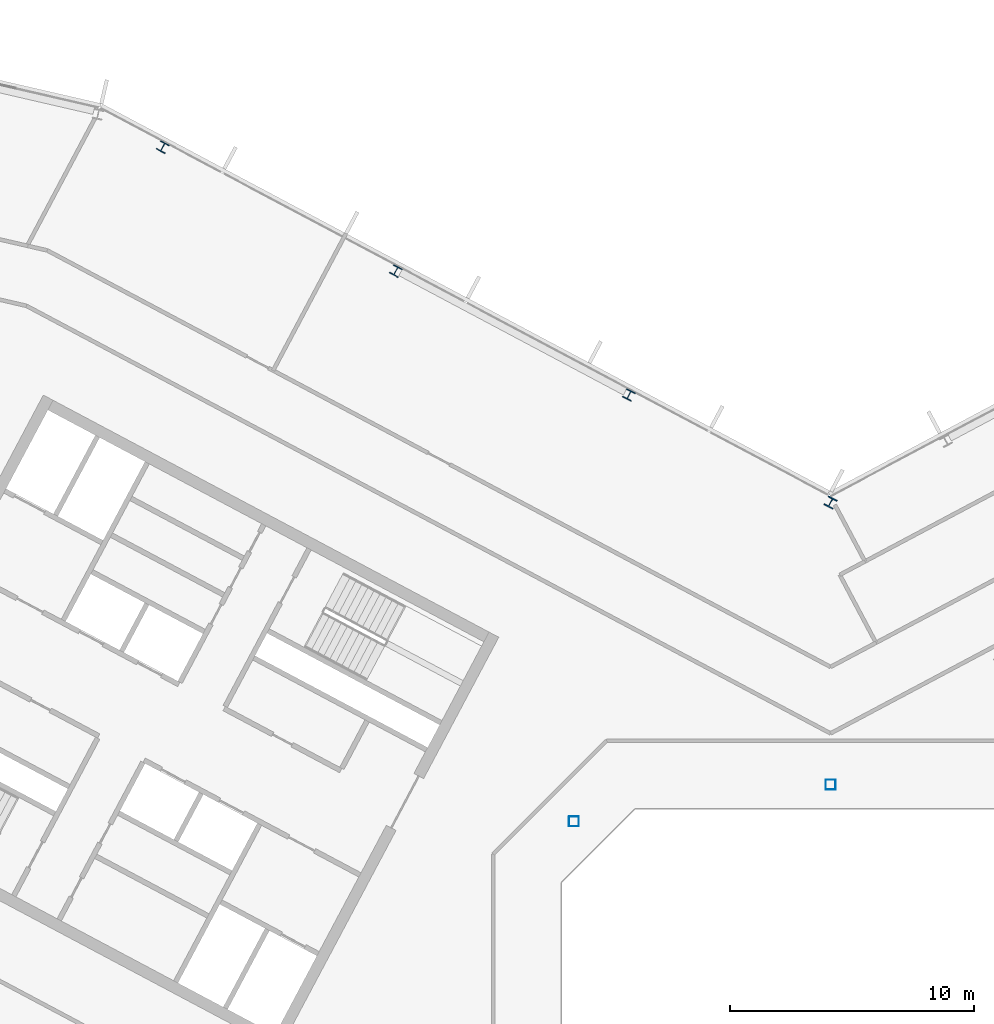
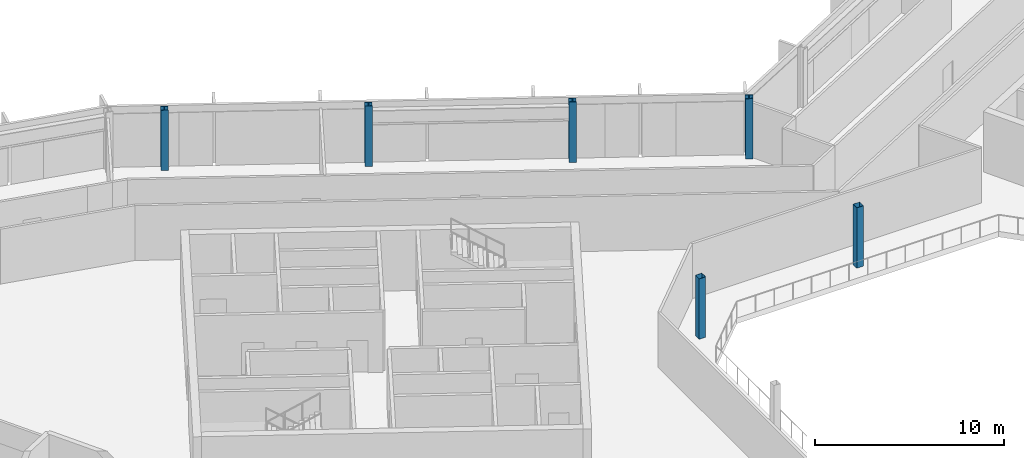
# One storey, part 4 of 26: 6 columns.
"""IFC4 building model written with IfcOpenShell, lengths in metres."""

from ifc_helpers import new_model, si_unit, direction, frame, origin, origin_2d, place, context, subcontext, project, spatial, hollow_rectangle, i_section, extrude, material, material_profile, profile_set, type_object, element, save


model = new_model("IFC4")

# Units and contexts
model_context = context("Model", 3, precision=1e-05, world=origin(), true_north=direction((0.0, 1.0)))
body_context = subcontext(model_context, "Body", "Model", "MODEL_VIEW")
ifc_project = project(units=[si_unit("LENGTHUNIT", "METRE"), si_unit("AREAUNIT", "SQUARE_METRE"), si_unit("VOLUMEUNIT", "CUBIC_METRE"), si_unit("PLANEANGLEUNIT", "RADIAN"), si_unit("MASSUNIT", "GRAM", prefix="KILO")], contexts=[model_context])

# Site, building, storey
site_placement = place(None, origin())
site = spatial("IfcSite", under=ifc_project, at=site_placement, CompositionType="ELEMENT")
building_placement = place(site_placement, origin())
building = spatial("IfcBuilding", under=site, at=building_placement, Name="Cormorant Relay Tower", CompositionType="ELEMENT")
storey_placement = place(building_placement, frame((0.0, 0.0, 285.300048828125)))
storey = spatial("IfcBuildingStorey", under=building, at=storey_placement, Name="L64", CompositionType="ELEMENT", Elevation=285.300048828125)

# Columns
ifc_material_1 = material(Name="Steel ASTM A500 Grade C (Fy 345 MPa)", Category="steel")
ifc_material_profile_1 = material_profile(ifc_material_1, hollow_rectangle(XDim=0.406494140625, YDim=0.406494140625, WallThickness=0.0087890625, InnerFilletRadius=0.00439453125, OuterFilletRadius=0.01318359375, at=origin_2d()), Name="HSS406x406x9")
ifc_profile_set_1 = profile_set([ifc_material_profile_1], Name="Steel ASTM A500 Grade C (Fy 345 MPa)")
column_type_1 = type_object("IfcColumnType", Name="Column HSS406x406x9", PredefinedType="COLUMN", material=ifc_profile_set_1)
for number, where, z_axis, x_axis, name in (
    (1, (-10.5, 10.5, 0.0), (0.0, 0.0, 1.0), (1.0, 0.0, 0.0), "Column L64-023"),
    (2, (0.0, 12.0, 0.0), (0.0, 0.0, 1.0), (1.0, 0.0, 0.0), "Column L64-025"),
):
    element("IfcColumn", number, at=place(storey_placement, frame(where, z_axis=z_axis, x_axis=x_axis)), inside=storey, type_object=column_type_1, Name=name, PredefinedType="COLUMN", context=body_context, shape_type="SweptSolid", body=[
        extrude(hollow_rectangle(XDim=0.406494140625, YDim=0.406494140625, WallThickness=0.0087890625, InnerFilletRadius=0.00439453125, OuterFilletRadius=0.01318359375, at=origin_2d()), origin(), (0.0, 0.0, 1.0), 3.89990234375),
    ])
ifc_material_2 = material(Name="Steel ASTM A992 (Fy 345 MPa)", Category="steel")
ifc_material_profile_2 = material_profile(ifc_material_2, i_section(OverallWidth=0.398681640625, OverallDepth=0.385986328125, WebThickness=0.02099609375, FlangeThickness=0.033203125, FilletRadius=0.01513671875, at=origin_2d()), Name="W360x262")
ifc_profile_set_2 = profile_set([ifc_material_profile_2], Name="Steel ASTM A992 (Fy 345 MPa)")
column_type_2 = type_object("IfcColumnType", Name="Column W360x262", PredefinedType="COLUMN", material=ifc_profile_set_2)
for number, where, z_axis, x_axis, name in (
    (3, (-8.2470703125, 27.943115234375, 0.0), (0.0, 0.0, 1.0), (-0.882947592859, 0.469471562786, 0.0), "Column L64-032"),
    (4, (-17.782958984375, 33.012939453125, 0.0), (0.0, 0.0, 1.0), (-0.882947592859, 0.469471562786, 0.0), "Column L64-036"),
    (5, (-27.319091796875, 38.0830078125, 0.0), (0.0, 0.0, 1.0), (-0.882947592859, 0.469471562786, 0.0), "Column L64-040"),
):
    element("IfcColumn", number, at=place(storey_placement, frame(where, z_axis=z_axis, x_axis=x_axis)), inside=storey, type_object=column_type_2, Name=name, PredefinedType="COLUMN", context=body_context, shape_type="SweptSolid", body=[
        extrude(i_section(OverallWidth=0.398681640625, OverallDepth=0.385986328125, WebThickness=0.02099609375, FlangeThickness=0.033203125, FilletRadius=0.01513671875, at=origin_2d()), origin(), (0.0, 0.0, 1.0), 3.89990234375),
    ])
ifc_material_3 = material(Name="Steel ASTM A992 (Fy 345 MPa)", Category="steel")
ifc_material_profile_3 = material_profile(ifc_material_3, i_section(OverallWidth=0.40380859375, OverallDepth=0.406494140625, WebThickness=0.027099609375, FlangeThickness=0.043701171875, FilletRadius=0.01513671875, at=origin_2d()), Name="W360x347")
ifc_profile_set_3 = profile_set([ifc_material_profile_3], Name="Steel ASTM A992 (Fy 345 MPa)")
column_type_3 = type_object("IfcColumnType", Name="Column W360x347", PredefinedType="COLUMN", material=ifc_profile_set_3)
column_placement = place(storey_placement, frame((0.0, 23.5439453125, 0.0), z_axis=(0.0, 0.0, 1.0), x_axis=(-0.882947592859, 0.469471562786, 0.0)))
element("IfcColumn", 6, at=column_placement, inside=storey, type_object=column_type_3, Name="Column L64-029", PredefinedType="COLUMN", context=body_context, shape_type="SweptSolid", body=[
    extrude(i_section(OverallWidth=0.40380859375, OverallDepth=0.406494140625, WebThickness=0.027099609375, FlangeThickness=0.043701171875, FilletRadius=0.01513671875, at=origin_2d()), origin(), (0.0, 0.0, 1.0), 3.89990234375),
])

save(model, "model.ifc")
